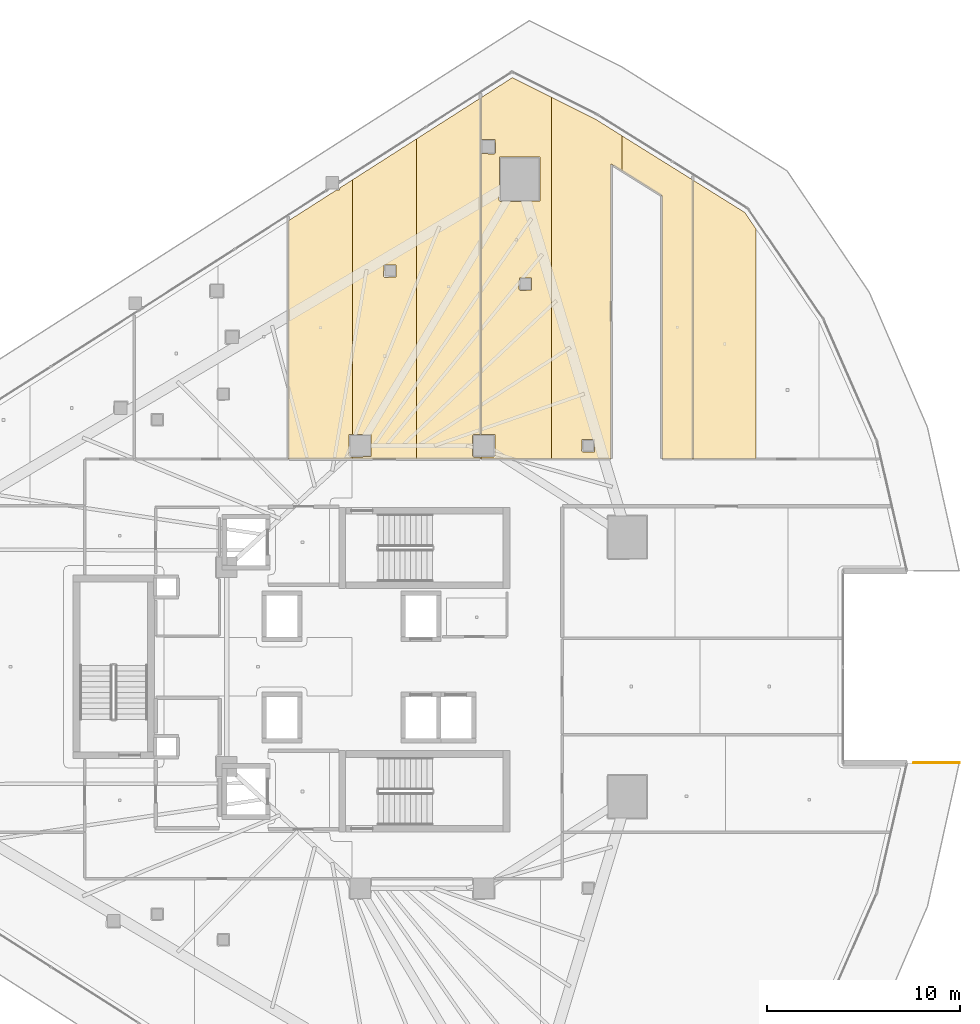
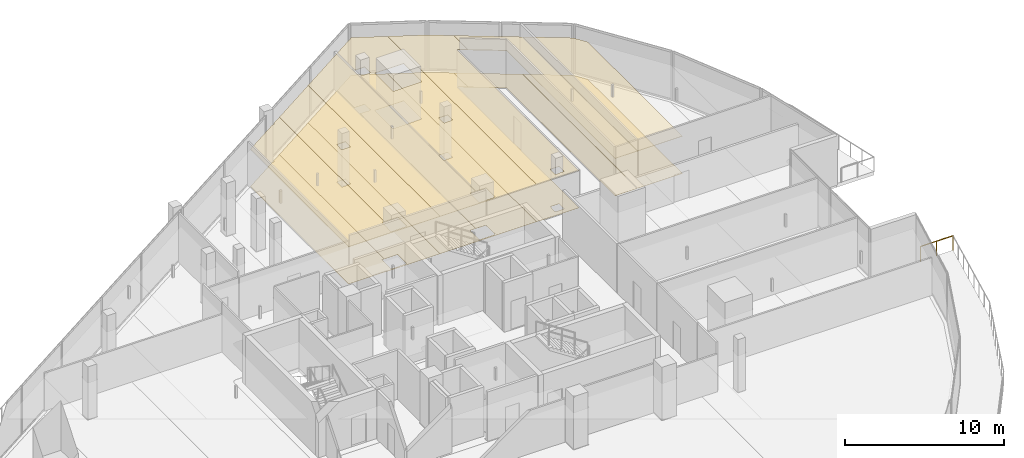
# One storey, part 35 of 35: 14 coverings, 1 railing.
"""IFC4 building model written with IfcOpenShell, lengths in metres."""

import ifcopenshell
import ifcopenshell.guid

model = None  # the IFC model being written
_history = None  # IfcOwnerHistory: only IFC2X3 demands one
_inside = {}  # id of a spatial element -> (the spatial element, [elements in it])
_under = {}  # id of a project, library or spatial element -> (it, [spatial elements below it])
_declared = {}  # id of a project -> (the project, [libraries it declares])
_typed = {}  # id of a type object -> (the type object, [elements of that type])
_made_of = {}  # id of a material, layer set ... -> (it, [elements and type objects made of it])


def new_model(schema):
    """Start an empty IFC model of exactly this schema.

    Asked for "IFC4X3", IfcOpenShell would pick the latest addendum, in which some entities
    have other attributes; the version numbers below select the first issue.
    IFC2X3 requires an IfcOwnerHistory on every rooted entity: one is made here for all.
    """
    global model, _history
    if schema == "IFC4X3":
        model = ifcopenshell.file(schema_version=(4, 3, 0, 0))
    else:
        model = ifcopenshell.file(schema=schema)
    _inside.clear()
    _under.clear()
    _declared.clear()
    _typed.clear()
    _made_of.clear()
    _history = None
    if model.schema == "IFC2X3":
        org = make("IfcOrganization", Name="unknown")
        user = make(
            "IfcPersonAndOrganization",
            ThePerson=make("IfcPerson", FamilyName="unknown"),
            TheOrganization=org,
        )
        app = make(
            "IfcApplication",
            ApplicationDeveloper=org,
            Version="unknown",
            ApplicationFullName="unknown",
            ApplicationIdentifier="unknown",
        )
        _history = make(
            "IfcOwnerHistory",
            OwningUser=user,
            OwningApplication=app,
            ChangeAction="ADDED",
            CreationDate=0,
        )
    return model


def make(cls, **values):
    """One entity of the class cls with the attributes given. An attribute that is None is left unset."""
    return model.create_entity(
        cls, **{name: value for name, value in values.items() if value is not None}
    )


def rooted(cls, **values):
    """An entity with a GlobalId (a new one), such as an element, a storey or a relation."""
    return make(cls, GlobalId=ifcopenshell.guid.new(), OwnerHistory=_history, **values)


def si_unit(unit_type, name, prefix=None):
    """IfcSIUnit, for example si_unit("LENGTHUNIT", "METRE", prefix="MILLI")."""
    return make("IfcSIUnit", UnitType=unit_type, Prefix=prefix, Name=name)


def assignment(units):
    """IfcUnitAssignment: the units of a project."""
    return None if units is None else make("IfcUnitAssignment", Units=units)


def point(xyz):
    """IfcCartesianPoint."""
    return None if xyz is None else make("IfcCartesianPoint", Coordinates=xyz)


def direction(xyz):
    """IfcDirection."""
    return None if xyz is None else make("IfcDirection", DirectionRatios=xyz)


def frame(location, z_axis=None, x_axis=None):
    """IfcAxis2Placement3D, a coordinate frame: its origin and axes. An axis left out is left unset."""
    return make(
        "IfcAxis2Placement3D",
        Location=point(location),
        Axis=direction(z_axis),
        RefDirection=direction(x_axis),
    )


def frame_2d(location, x_axis=None):
    """IfcAxis2Placement2D, a coordinate frame in the plane: its origin and x axis."""
    return make(
        "IfcAxis2Placement2D", Location=point(location), RefDirection=direction(x_axis)
    )


def origin():
    """The frame at (0, 0, 0) with its axes left unset."""
    return frame((0.0, 0.0, 0.0))


def origin_2d():
    """The frame at (0, 0) in the plane with its x axis left unset."""
    return frame_2d((0.0, 0.0))


def place(relative_to, where):
    """IfcLocalPlacement: puts the frame where relative to a parent placement (None: the world)."""
    return make(
        "IfcLocalPlacement", PlacementRelTo=relative_to, RelativePlacement=where
    )


def context(
    kind, dimensions, precision=None, world=None, true_north=None, identifier=None
):
    """IfcGeometricRepresentationContext, for example the 3D "Model" context."""
    return make(
        "IfcGeometricRepresentationContext",
        ContextIdentifier=identifier,
        ContextType=kind,
        CoordinateSpaceDimension=dimensions,
        Precision=precision,
        WorldCoordinateSystem=world,
        TrueNorth=true_north,
    )


def subcontext(parent, identifier, kind, view, scale=None):
    """IfcGeometricRepresentationSubContext, for example "Body" below "Model"."""
    return make(
        "IfcGeometricRepresentationSubContext",
        ContextIdentifier=identifier,
        ContextType=kind,
        ParentContext=parent,
        TargetScale=scale,
        TargetView=view,
    )


def project(units=None, contexts=None):
    """IfcProject with its units and contexts."""
    return rooted(
        "IfcProject",
        Name="project",
        RepresentationContexts=contexts,
        UnitsInContext=assignment(units),
    )


def spatial(cls, under=None, at=None, **own):
    """A site, building, storey or space (cls), placed at a placement, below another one or the project."""
    s = rooted(cls, ObjectPlacement=at, **own)
    if under is not None:
        _under.setdefault(under.id(), (under, []))[1].append(s)
    return s


def polyline(points):
    """IfcPolyline through the points."""
    return make("IfcPolyline", Points=[point(p) for p in points])


def profile(cls, at=None, kind="AREA", **sizes):
    """A parametric profile (cls). Its sizes go by their IFC names, for example OverallWidth=200.0."""
    return make(cls, ProfileType=kind, Position=at, **sizes)


def circle(**sizes):
    """IfcCircleProfileDef."""
    return profile("IfcCircleProfileDef", **sizes)


def outline(outer, holes=None, kind="AREA"):
    """IfcArbitraryClosedProfileDef: a profile drawn as a closed curve; with holes, ...WithVoids."""
    if holes is None:
        return make("IfcArbitraryClosedProfileDef", ProfileType=kind, OuterCurve=outer)
    return make(
        "IfcArbitraryProfileDefWithVoids",
        ProfileType=kind,
        OuterCurve=outer,
        InnerCurves=holes,
    )


def extrude(swept, where, along, depth):
    """IfcExtrudedAreaSolid: the profile swept, set in the frame where, extruded along a direction by depth."""
    return make(
        "IfcExtrudedAreaSolid",
        SweptArea=swept,
        Position=where,
        ExtrudedDirection=direction(along),
        Depth=depth,
    )


def shape(context_of_items, identifier, shape_type, items):
    """IfcShapeRepresentation: the items that make up one representation, for example the "Body"."""
    return make(
        "IfcShapeRepresentation",
        ContextOfItems=context_of_items,
        RepresentationIdentifier=identifier,
        RepresentationType=shape_type,
        Items=items,
    )


def material(Name=None, Category=None):
    """IfcMaterial."""
    return make("IfcMaterial", Name=Name, Category=Category)


def layer(
    of_material, thickness, ventilated=None, Name=None, Category=None, Priority=None
):
    """IfcMaterialLayer: one layer of a wall or slab, of a material (None: an air gap)."""
    return make(
        "IfcMaterialLayer",
        Material=of_material,
        LayerThickness=thickness,
        IsVentilated=ventilated,
        Name=Name,
        Category=Category,
        Priority=Priority,
    )


def layer_set(layers, Name=None):
    """IfcMaterialLayerSet."""
    return make("IfcMaterialLayerSet", MaterialLayers=layers, LayerSetName=Name)


def made_of(thing, what):
    """Note that an element or type object is made of a material, layer set ...; save() writes the relation."""
    if what is not None:
        _made_of.setdefault(what.id(), (what, []))[1].append(thing)
    return thing


def type_object(cls, material=None, **own):
    """A type object (cls), such as IfcWallType, which elements share."""
    return made_of(rooted(cls, **own), material)


def element(
    cls,
    number,
    at=None,
    inside=None,
    cuts=None,
    type_object=None,
    material=None,
    context=None,
    identifier="Body",
    shape_type=None,
    held_by="IfcProductDefinitionShape",
    body=None,
    shapes=None,
    **own,
):
    """One element of the class cls, such as IfcWall. Its Tag is "e" and its number.

    at: its placement. inside: the storey or other place that contains it. cuts: it is an
    opening in that element (IfcRelVoidsElement). A single representation is given by context,
    identifier, shape_type and body (its items); several are given by shapes. held_by: the class
    of the entity that holds the representations. save() writes the other relations.
    """
    e = rooted(cls, Tag="e%d" % number, ObjectPlacement=at, **own)
    if body is not None:
        shapes = [shape(context, identifier, shape_type, body)]
    if shapes is not None:
        e.Representation = make(held_by, Representations=shapes)
    if inside is not None:
        _inside.setdefault(inside.id(), (inside, []))[1].append(e)
    if cuts is not None:
        rooted(
            "IfcRelVoidsElement", RelatingBuildingElement=cuts, RelatedOpeningElement=e
        )
    if type_object is not None:
        _typed.setdefault(type_object.id(), (type_object, []))[1].append(e)
    return made_of(e, material)


def aggregate(whole, parts):
    """IfcRelAggregates: a whole, such as a stair, and the parts it consists of."""
    return rooted("IfcRelAggregates", RelatingObject=whole, RelatedObjects=parts)


def save(model, path):
    """Write the relations noted so far, then the file.

    IfcRelAggregates (storeys below a building ...), IfcRelContainedInSpatialStructure (elements
    in a storey), IfcRelDefinesByType, IfcRelAssociatesMaterial and IfcRelDeclares: one each for
    every whole, place, type object, material and project.
    """
    for whole, parts in _under.values():
        aggregate(whole, parts)
    for where, things in _inside.values():
        rooted(
            "IfcRelContainedInSpatialStructure",
            RelatedElements=things,
            RelatingStructure=where,
        )
    for kind, things in _typed.values():
        rooted("IfcRelDefinesByType", RelatedObjects=things, RelatingType=kind)
    for what, things in _made_of.values():
        rooted("IfcRelAssociatesMaterial", RelatedObjects=things, RelatingMaterial=what)
    for by, libraries in _declared.values():
        rooted("IfcRelDeclares", RelatingContext=by, RelatedDefinitions=libraries)
    model.write(path)


model = new_model("IFC4")

# Units and contexts
model_context = context("Model", 3, precision=1e-05, world=origin(), true_north=direction((0.0, 1.0)))
body_context = subcontext(model_context, "Body", "Model", "MODEL_VIEW")
ifc_project = project(units=[si_unit("LENGTHUNIT", "METRE"), si_unit("AREAUNIT", "SQUARE_METRE"), si_unit("VOLUMEUNIT", "CUBIC_METRE"), si_unit("PLANEANGLEUNIT", "RADIAN"), si_unit("MASSUNIT", "GRAM", prefix="KILO")], contexts=[model_context])

# Site, building, storey
site_placement = place(None, origin())
site = spatial("IfcSite", under=ifc_project, at=site_placement, CompositionType="ELEMENT")
building_placement = place(site_placement, origin())
building = spatial("IfcBuilding", under=site, at=building_placement, Name="Qorvath Tower", CompositionType="ELEMENT")
storey_placement = place(building_placement, frame((0.0, 0.0, 130.050048828125)))
storey = spatial("IfcBuildingStorey", under=building, at=storey_placement, Name="L29", CompositionType="ELEMENT", Elevation=130.050048828125)

# Coverings
ifc_material_1 = material(Name="Acoustic mineral fibre ceiling tile", Category="gypsum")
ifc_layer_1 = layer(ifc_material_1, 0.030029296875)
ifc_layer_set_1 = layer_set([ifc_layer_1], Name="COV-CEIL")
covering_type_1 = type_object("IfcCoveringType", Name="COV-CEIL", PredefinedType="CEILING", material=ifc_layer_set_1)
covering_1_placement = place(storey_placement, frame((0.0, 0.0, 2.849853515625)))
element("IfcCovering", 1, at=covering_1_placement, inside=storey, type_object=covering_type_1, Name="L29 Suspended Acoustic Ceiling 013", PredefinedType="CEILING", context=body_context, shape_type="SweptSolid", body=[
    extrude(outline(polyline([(-23.996826171875, 10.762939453125), (-23.996826171875, 10.866943359375), (-24.125, 10.864990234375), (-24.18505859375, 10.925048828125), (-24.16748046875, 12.017333984375), (-23.996826171875, 12.017333984375), (-23.996826171875, 25.20751953125), (-24.652587890625, 24.78857421875), (-24.670166015625, 24.69140625), (-24.83203125, 24.673828125), (-27.309814453125, 23.090087890625), (-27.309814453125, 10.762939453125), (-23.996826171875, 10.762939453125)])), origin(), (0.0, 0.0, 1.0), 0.030029296875),
])
covering_2_placement = place(storey_placement, frame((0.0, 0.0, 2.849853515625)))
element("IfcCovering", 2, at=covering_2_placement, inside=storey, type_object=covering_type_1, Name="L29 Suspended Acoustic Ceiling 014", PredefinedType="CEILING", context=body_context, shape_type="SweptSolid", body=[
    extrude(outline(polyline([(-20.683837890625, 10.762939453125), (-20.683837890625, 27.3251953125), (-23.996826171875, 25.20751953125), (-23.996826171875, 12.017333984375), (-23.032470703125, 12.017333984375), (-23.032470703125, 10.882568359375), (-23.996826171875, 10.866943359375), (-23.996826171875, 10.762939453125), (-20.683837890625, 10.762939453125)]), holes=[polyline([(-22.38818359375, 20.219970703125), (-22.37060546875, 20.812255859375), (-21.73583984375, 20.812255859375), (-21.73583984375, 20.177490234375), (-22.328125, 20.159912109375), (-22.38818359375, 20.219970703125)])]), origin(), (0.0, 0.0, 1.0), 0.030029296875),
])
covering_3_placement = place(storey_placement, frame((0.0, 0.0, 2.849853515625)))
element("IfcCovering", 3, at=covering_3_placement, inside=storey, type_object=covering_type_1, Name="L29 Suspended Acoustic Ceiling 015", PredefinedType="CEILING", context=body_context, shape_type="SweptSolid", body=[
    extrude(outline(polyline([(-17.370849609375, 12.034912109375), (-17.370849609375, 29.442626953125), (-20.683837890625, 27.3251953125), (-20.683837890625, 10.762939453125), (-17.370849609375, 10.762939453125), (-17.370849609375, 10.864990234375), (-17.72509765625, 10.864990234375), (-17.784912109375, 10.925048828125), (-17.784912109375, 11.97509765625), (-17.72509765625, 12.034912109375), (-17.370849609375, 12.034912109375)])), origin(), (0.0, 0.0, 1.0), 0.030029296875),
])
covering_4_placement = place(storey_placement, frame((0.0, 0.0, 2.849853515625)))
element("IfcCovering", 4, at=covering_4_placement, inside=storey, type_object=covering_type_1, Name="L29 Suspended Acoustic Ceiling 016", PredefinedType="CEILING", context=body_context, shape_type="SweptSolid", body=[
    extrude(outline(polyline([(-13.696044921875, 10.762939453125), (-13.696044921875, 29.48388671875), (-15.721435546875, 30.49658203125), (-17.352783203125, 29.4541015625), (-17.352783203125, 27.28662109375), (-16.61376953125, 27.296630859375), (-16.59619140625, 26.604248046875), (-16.65625, 26.544189453125), (-17.352783203125, 26.57177734375), (-17.352783203125, 12.034912109375), (-16.632568359375, 12.017333984375), (-16.614990234375, 10.925048828125), (-16.675048828125, 10.864990234375), (-17.352783203125, 10.864990234375), (-17.352783203125, 10.762939453125), (-13.696044921875, 10.762939453125)]), holes=[polyline([(-16.404296875, 24.14599609375), (-16.38671875, 26.388427734375), (-14.3017578125, 26.388427734375), (-14.3017578125, 24.103759765625), (-16.34423828125, 24.086181640625), (-16.404296875, 24.14599609375)]), polyline([(-15.381103515625, 19.543212890625), (-15.363525390625, 20.135498046875), (-14.728759765625, 20.135498046875), (-14.728759765625, 19.500732421875), (-15.321044921875, 19.483154296875), (-15.381103515625, 19.543212890625)])]), origin(), (0.0, 0.0, 1.0), 0.030029296875),
])
covering_5_placement = place(storey_placement, frame((0.0, 0.0, 2.849853515625)))
element("IfcCovering", 5, at=covering_5_placement, inside=storey, type_object=covering_type_1, Name="L29 Suspended Acoustic Ceiling 017", PredefinedType="CEILING", context=body_context, shape_type="SweptSolid", body=[
    extrude(outline(polyline([(-10.039306640625, 25.671142578125), (-10.039306640625, 27.478759765625), (-11.463134765625, 28.367431640625), (-13.696044921875, 29.48388671875), (-13.696044921875, 10.762939453125), (-10.613037109375, 10.762939453125), (-10.608642578125, 26.02685546875), (-10.039306640625, 25.671142578125)]), holes=[polyline([(-12.135009765625, 11.175048828125), (-12.117431640625, 11.767333984375), (-11.482666015625, 11.767333984375), (-11.482666015625, 11.132568359375), (-12.074951171875, 11.114990234375), (-12.135009765625, 11.175048828125)])]), origin(), (0.0, 0.0, 1.0), 0.030029296875),
])
covering_6_placement = place(storey_placement, frame((0.0, 0.0, 2.849853515625)))
element("IfcCovering", 6, at=covering_6_placement, inside=storey, type_object=covering_type_1, Name="L29 Suspended Acoustic Ceiling 018", PredefinedType="CEILING", context=body_context, shape_type="SweptSolid", body=[
    extrude(outline(polyline([(-6.3828125, 10.762939453125), (-6.3828125, 25.1962890625), (-10.039306640625, 27.478759765625), (-10.039306640625, 25.671142578125), (-7.987060546875, 24.388916015625), (-7.987060546875, 10.762939453125), (-6.3828125, 10.762939453125)])), origin(), (0.0, 0.0, 1.0), 0.030029296875),
])
covering_7_placement = place(storey_placement, frame((0.0, 0.0, 2.849853515625)))
element("IfcCovering", 7, at=covering_7_placement, inside=storey, type_object=covering_type_1, Name="L29 Suspended Acoustic Ceiling 019", PredefinedType="CEILING", context=body_context, shape_type="SweptSolid", body=[
    extrude(outline(polyline([(-3.109130859375, 10.762939453125), (-3.109130859375, 22.655517578125), (-3.70166015625, 23.522705078125), (-6.36474609375, 25.18505859375), (-6.36474609375, 10.762939453125), (-3.109130859375, 10.762939453125)])), origin(), (0.0, 0.0, 1.0), 0.030029296875),
])
ifc_material_2 = material(Name="Low-VOC modular carpet tile", Category="textile")
ifc_layer_2 = layer(ifc_material_2, 0.014892578125)
ifc_layer_set_2 = layer_set([ifc_layer_2], Name="COV-FLOOR-CPT")
covering_type_2 = type_object("IfcCoveringType", Name="COV-FLOOR-CPT", PredefinedType="FLOORING", material=ifc_layer_set_2)
covering_8_placement = place(storey_placement, origin())
element("IfcCovering", 8, at=covering_8_placement, inside=storey, type_object=covering_type_2, Name="L29 Floor Finish 013", PredefinedType="FLOORING", context=body_context, shape_type="SweptSolid", body=[
    extrude(outline(polyline([(-23.996826171875, 10.762939453125), (-23.996826171875, 10.866943359375), (-24.125, 10.864990234375), (-24.18505859375, 10.925048828125), (-24.16748046875, 12.017333984375), (-23.996826171875, 12.017333984375), (-23.996826171875, 25.20751953125), (-24.652587890625, 24.78857421875), (-24.670166015625, 24.69140625), (-24.83203125, 24.673828125), (-27.309814453125, 23.090087890625), (-27.309814453125, 10.762939453125), (-23.996826171875, 10.762939453125)])), origin(), (0.0, 0.0, 1.0), 0.014892578125),
])
covering_9_placement = place(storey_placement, origin())
element("IfcCovering", 9, at=covering_9_placement, inside=storey, type_object=covering_type_2, Name="L29 Floor Finish 014", PredefinedType="FLOORING", context=body_context, shape_type="SweptSolid", body=[
    extrude(outline(polyline([(-20.683837890625, 10.762939453125), (-20.683837890625, 27.3251953125), (-23.996826171875, 25.20751953125), (-23.996826171875, 12.017333984375), (-23.032470703125, 12.017333984375), (-23.032470703125, 10.882568359375), (-23.996826171875, 10.866943359375), (-23.996826171875, 10.762939453125), (-20.683837890625, 10.762939453125)]), holes=[polyline([(-22.38818359375, 20.219970703125), (-22.37060546875, 20.812255859375), (-21.73583984375, 20.812255859375), (-21.73583984375, 20.177490234375), (-22.328125, 20.159912109375), (-22.38818359375, 20.219970703125)])]), origin(), (0.0, 0.0, 1.0), 0.014892578125),
])
covering_10_placement = place(storey_placement, origin())
element("IfcCovering", 10, at=covering_10_placement, inside=storey, type_object=covering_type_2, Name="L29 Floor Finish 015", PredefinedType="FLOORING", context=body_context, shape_type="SweptSolid", body=[
    extrude(outline(polyline([(-17.370849609375, 12.034912109375), (-17.370849609375, 29.442626953125), (-20.683837890625, 27.3251953125), (-20.683837890625, 10.762939453125), (-17.370849609375, 10.762939453125), (-17.370849609375, 10.864990234375), (-17.72509765625, 10.864990234375), (-17.784912109375, 10.925048828125), (-17.784912109375, 11.97509765625), (-17.72509765625, 12.034912109375), (-17.370849609375, 12.034912109375)])), origin(), (0.0, 0.0, 1.0), 0.014892578125),
])
covering_11_placement = place(storey_placement, origin())
element("IfcCovering", 11, at=covering_11_placement, inside=storey, type_object=covering_type_2, Name="L29 Floor Finish 016", PredefinedType="FLOORING", context=body_context, shape_type="SweptSolid", body=[
    extrude(outline(polyline([(-13.696044921875, 10.762939453125), (-13.696044921875, 29.48388671875), (-15.721435546875, 30.49658203125), (-17.352783203125, 29.4541015625), (-17.352783203125, 27.28662109375), (-16.61376953125, 27.296630859375), (-16.59619140625, 26.604248046875), (-16.65625, 26.544189453125), (-17.352783203125, 26.57177734375), (-17.352783203125, 12.034912109375), (-16.632568359375, 12.017333984375), (-16.614990234375, 10.925048828125), (-16.675048828125, 10.864990234375), (-17.352783203125, 10.864990234375), (-17.352783203125, 10.762939453125), (-13.696044921875, 10.762939453125)]), holes=[polyline([(-16.404296875, 24.14599609375), (-16.38671875, 26.388427734375), (-14.3017578125, 26.388427734375), (-14.3017578125, 24.103759765625), (-16.34423828125, 24.086181640625), (-16.404296875, 24.14599609375)]), polyline([(-15.381103515625, 19.543212890625), (-15.363525390625, 20.135498046875), (-14.728759765625, 20.135498046875), (-14.728759765625, 19.500732421875), (-15.321044921875, 19.483154296875), (-15.381103515625, 19.543212890625)])]), origin(), (0.0, 0.0, 1.0), 0.014892578125),
])
covering_12_placement = place(storey_placement, origin())
element("IfcCovering", 12, at=covering_12_placement, inside=storey, type_object=covering_type_2, Name="L29 Floor Finish 017", PredefinedType="FLOORING", context=body_context, shape_type="SweptSolid", body=[
    extrude(outline(polyline([(-10.039306640625, 25.671142578125), (-10.039306640625, 27.478759765625), (-11.463134765625, 28.367431640625), (-13.696044921875, 29.48388671875), (-13.696044921875, 10.762939453125), (-10.613037109375, 10.762939453125), (-10.608642578125, 26.02685546875), (-10.039306640625, 25.671142578125)]), holes=[polyline([(-12.135009765625, 11.175048828125), (-12.117431640625, 11.767333984375), (-11.482666015625, 11.767333984375), (-11.482666015625, 11.132568359375), (-12.074951171875, 11.114990234375), (-12.135009765625, 11.175048828125)])]), origin(), (0.0, 0.0, 1.0), 0.014892578125),
])
covering_13_placement = place(storey_placement, origin())
element("IfcCovering", 13, at=covering_13_placement, inside=storey, type_object=covering_type_2, Name="L29 Floor Finish 018", PredefinedType="FLOORING", context=body_context, shape_type="SweptSolid", body=[
    extrude(outline(polyline([(-6.3828125, 10.762939453125), (-6.3828125, 25.1962890625), (-10.039306640625, 27.478759765625), (-10.039306640625, 25.671142578125), (-7.987060546875, 24.388916015625), (-7.987060546875, 10.762939453125), (-6.3828125, 10.762939453125)])), origin(), (0.0, 0.0, 1.0), 0.014892578125),
])
covering_14_placement = place(storey_placement, origin())
element("IfcCovering", 14, at=covering_14_placement, inside=storey, type_object=covering_type_2, Name="L29 Floor Finish 019", PredefinedType="FLOORING", context=body_context, shape_type="SweptSolid", body=[
    extrude(outline(polyline([(-3.109130859375, 10.762939453125), (-3.109130859375, 22.655517578125), (-3.70166015625, 23.522705078125), (-6.36474609375, 25.18505859375), (-6.36474609375, 10.762939453125), (-3.109130859375, 10.762939453125)])), origin(), (0.0, 0.0, 1.0), 0.014892578125),
])

# Railing
ifc_material_3 = material(Name="Laminated safety glass and stainless steel AISI 316", Category="steel")
railing_type = type_object("IfcRailingType", Name="RL-EXT-GRD", PredefinedType="GUARDRAIL", material=ifc_material_3)
railing_placement = place(storey_placement, frame((5.048583984375, -4.968017578125, 0.0)))
element("IfcRailing", 15, at=railing_placement, inside=storey, type_object=railing_type, Name="Loggia Perimeter Guardrail L29-1.2", PredefinedType="GUARDRAIL", context=body_context, shape_type="SweptSolid", body=[
    extrude(circle(Radius=0.02392578125, at=origin_2d()), frame((0.0, 0.0, 1.09619140625), z_axis=(1.0, 0.0, 0.0), x_axis=(0.0, 1.0, 0.0)), (0.0, 0.0, 1.0), 2.366455078125),
    extrude(circle(Radius=0.02099609375, at=origin_2d()), origin(), (0.0, 0.0, 1.0), 1.072021484375),
    extrude(circle(Radius=0.02099609375, at=origin_2d()), frame((1.18310546875, 0.0, 0.0)), (0.0, 0.0, 1.0), 1.072021484375),
    extrude(circle(Radius=0.02099609375, at=origin_2d()), frame((2.366455078125, 0.0, 0.0)), (0.0, 0.0, 1.0), 1.072021484375),
])

save(model, "model.ifc")
